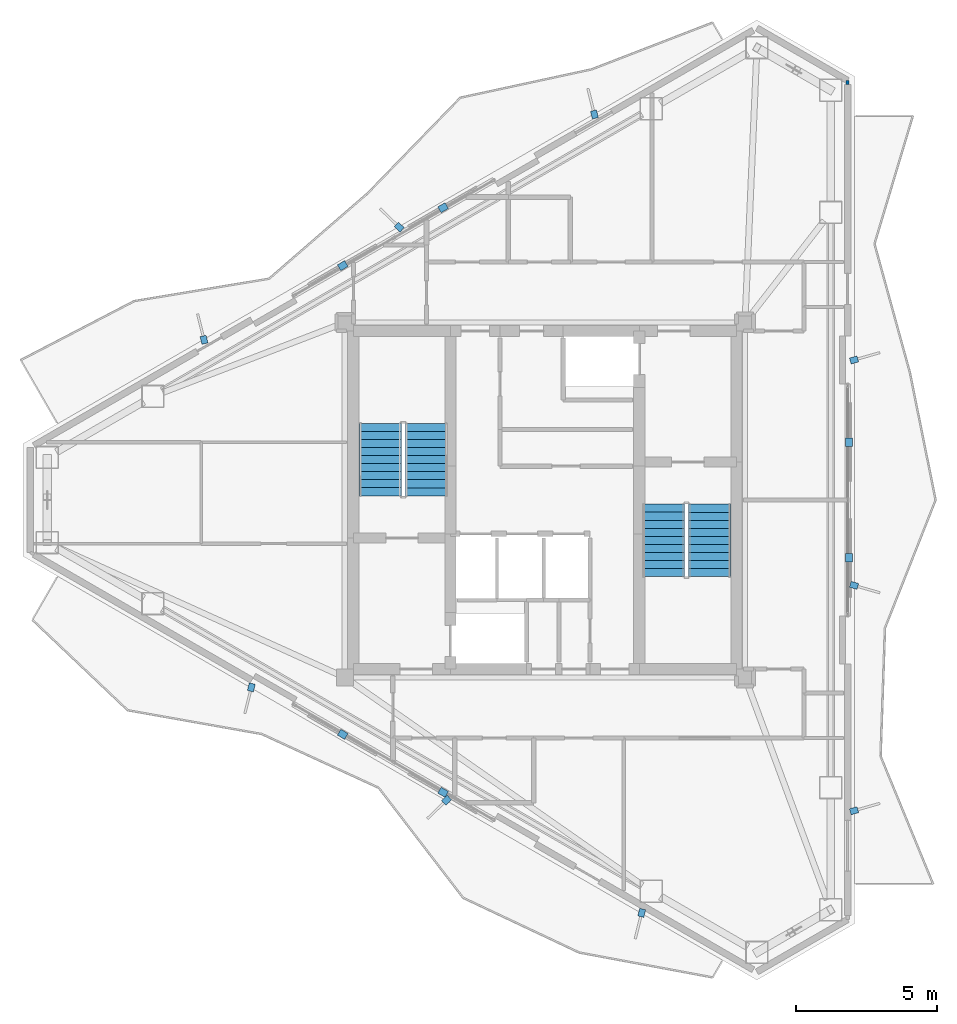
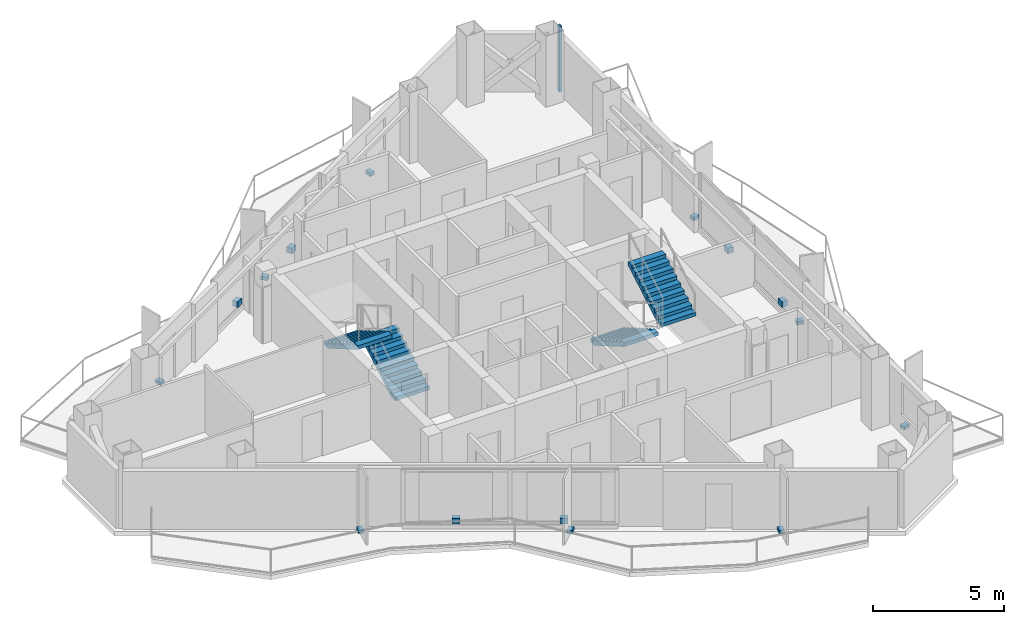
# One storey, part 17 of 18: 15 discrete accessories, 4 stair flights, 1 wall, 2 elements without a shape of their own.
"""IFC4 building model written with IfcOpenShell, lengths in metres."""

from ifc_helpers import new_model, si_unit, direction, frame, frame_2d, origin, origin_2d, place, context, subcontext, project, spatial, polyline, rectangle, outline, extrude, material, layer, layer_set, type_object, element, aggregate, save


model = new_model("IFC4")

# Units and contexts
model_context = context("Model", 3, precision=1e-05, world=origin(), true_north=direction((0.0, 1.0)))
body_context = subcontext(model_context, "Body", "Model", "MODEL_VIEW")
ifc_project = project(units=[si_unit("LENGTHUNIT", "METRE"), si_unit("AREAUNIT", "SQUARE_METRE"), si_unit("VOLUMEUNIT", "CUBIC_METRE"), si_unit("PLANEANGLEUNIT", "RADIAN"), si_unit("MASSUNIT", "GRAM", prefix="KILO")], contexts=[model_context])

# Site, building, storey
site_placement = place(None, origin())
site = spatial("IfcSite", under=ifc_project, at=site_placement, CompositionType="ELEMENT")
building_placement = place(site_placement, origin())
building = spatial("IfcBuilding", under=site, at=building_placement, Name="Mersakhor Tower and Convention Hall", CompositionType="ELEMENT")
storey_placement = place(building_placement, frame((0.0, 0.0, 233.10009765625)))
storey = spatial("IfcBuildingStorey", under=building, at=storey_placement, Name="L65", CompositionType="ELEMENT", Elevation=233.10009765625)

# Wall
ifc_material_1 = material(Name="Lightweight gypsum partition", Category="other")
ifc_layer_1 = layer(ifc_material_1, 0.10009765625)
ifc_layer_set_1 = layer_set([ifc_layer_1], Name="Lightweight gypsum partition")
wall_type = type_object("IfcWallType", Name="WL-PRT-100", PredefinedType="PARTITIONING", material=ifc_layer_set_1)
wall_placement = place(storey_placement, frame((39.742919921875, 41.64208984375, 0.0), z_axis=(0.0, 0.0, 1.0), x_axis=(0.0, -1.0, 0.0)))
element("IfcWall", 1, at=wall_placement, inside=storey, type_object=wall_type, Name="L65 Interior Partition Wall P-048", PredefinedType="PARTITIONING", context=body_context, shape_type="SweptSolid", body=[
    extrude(rectangle(XDim=0.150390625, YDim=0.10009765625, at=frame_2d((0.0751953125, 0.0))), origin(), (0.0, 0.0, 1.0), 3.079833984375),
])

# Stair, stair flights
ifc_material_2 = material(Name="Concrete C45/55", Category="concrete")
stair_type = type_object("IfcStairType", Name="ST-TWR-20R", PredefinedType="HALF_TURN_STAIR", material=ifc_material_2)
stair_1_placement = place(storey_placement, origin())
stair_1 = element("IfcStair", 2, at=stair_1_placement, inside=storey, type_object=stair_type, Name="L65 Tower Protected Exit Stair ST-1", PredefinedType="HALF_TURN_STAIR")
ifc_material_3 = material(Name="Concrete C45/55", Category="concrete")
stair_flight_type = type_object("IfcStairFlightType", Name="SFL-TWR-20R", PredefinedType="STRAIGHT", material=ifc_material_3)
stair_flight_1_placement = place(storey_placement, frame((24.800048828125, 26.89990234375, 0.0), z_axis=(0.0, 0.0, 1.0), x_axis=(0.0, 1.0, 0.0)))
stair_flight_1 = element("IfcStairFlight", 3, at=stair_flight_1_placement, type_object=stair_flight_type, Name="ST-1 flight 1", NumberOfRisers=10, NumberOfTreads=9, PredefinedType="STRAIGHT", RiserHeight=0.165, TreadLength=0.285, context=body_context, shape_type="SweptSolid", body=[
    extrude(outline(polyline([(0.0, 0.0), (0.0, 0.1650390625), (0.284912109375, 0.1650390625), (0.284912109375, 0.330078125), (0.570068359375, 0.330078125), (0.570068359375, 0.4951171875), (0.85498046875, 0.4951171875), (0.85498046875, 0.659912109375), (1.139892578125, 0.659912109375), (1.139892578125, 0.824951171875), (1.425048828125, 0.824951171875), (1.425048828125, 0.989990234375), (1.7099609375, 0.989990234375), (1.7099609375, 1.155029296875), (1.9951171875, 1.155029296875), (1.9951171875, 1.320068359375), (2.280029296875, 1.320068359375), (2.280029296875, 1.485107421875), (2.56494140625, 1.485107421875), (2.56494140625, 1.64990234375), (2.56494140625, 1.311767578125), (0.299072265625, 0.0), (0.0, 0.0)])), frame((0.0, 0.75, 0.0), z_axis=(0.0, -1.0, 0.0), x_axis=(1.0, 0.0, 0.0)), (0.0, 0.0, 1.0), 1.5),
])
stair_flight_2_placement = place(storey_placement, frame((23.14990234375, 29.465087890625, 1.64990234375), z_axis=(0.0, 0.0, 1.0), x_axis=(0.0, -1.0, 0.0)))
stair_flight_2 = element("IfcStairFlight", 4, at=stair_flight_2_placement, type_object=stair_flight_type, Name="ST-1 flight 2", NumberOfRisers=10, NumberOfTreads=9, PredefinedType="STRAIGHT", RiserHeight=0.165, TreadLength=0.285, context=body_context, shape_type="SweptSolid", body=[
    extrude(outline(polyline([(0.0, 0.0), (0.0, 0.1650390625), (0.284912109375, 0.1650390625), (0.284912109375, 0.330078125), (0.570068359375, 0.330078125), (0.570068359375, 0.4951171875), (0.85498046875, 0.4951171875), (0.85498046875, 0.659912109375), (1.139892578125, 0.659912109375), (1.139892578125, 0.824951171875), (1.425048828125, 0.824951171875), (1.425048828125, 0.989990234375), (1.7099609375, 0.989990234375), (1.7099609375, 1.155029296875), (1.9951171875, 1.155029296875), (1.9951171875, 1.320068359375), (2.280029296875, 1.320068359375), (2.280029296875, 1.485107421875), (2.56494140625, 1.485107421875), (2.56494140625, 1.64990234375), (2.56494140625, 1.311767578125), (0.299072265625, 0.0), (0.0, 0.0)])), frame((0.0, 0.75, 0.0), z_axis=(0.0, -1.0, 0.0), x_axis=(1.0, 0.0, 0.0)), (0.0, 0.0, 1.0), 1.5),
])
aggregate(stair_1, [stair_flight_1, stair_flight_2])

stair_2_placement = place(storey_placement, origin())
stair_2 = element("IfcStair", 5, at=stair_2_placement, inside=storey, type_object=stair_type, Name="L65 Tower Protected Exit Stair ST-2", PredefinedType="HALF_TURN_STAIR")
stair_flight_3_placement = place(storey_placement, frame((33.199951171875, 26.60009765625, 0.0), z_axis=(0.0, 0.0, 1.0), x_axis=(0.0, -1.0, 0.0)))
stair_flight_3 = element("IfcStairFlight", 6, at=stair_flight_3_placement, type_object=stair_flight_type, Name="ST-2 flight 1", NumberOfRisers=10, NumberOfTreads=9, PredefinedType="STRAIGHT", RiserHeight=0.165, TreadLength=0.285, context=body_context, shape_type="SweptSolid", body=[
    extrude(outline(polyline([(0.0, 0.0), (0.0, 0.1650390625), (0.284912109375, 0.1650390625), (0.284912109375, 0.330078125), (0.570068359375, 0.330078125), (0.570068359375, 0.4951171875), (0.85498046875, 0.4951171875), (0.85498046875, 0.659912109375), (1.139892578125, 0.659912109375), (1.139892578125, 0.824951171875), (1.425048828125, 0.824951171875), (1.425048828125, 0.989990234375), (1.7099609375, 0.989990234375), (1.7099609375, 1.155029296875), (1.9951171875, 1.155029296875), (1.9951171875, 1.320068359375), (2.280029296875, 1.320068359375), (2.280029296875, 1.485107421875), (2.56494140625, 1.485107421875), (2.56494140625, 1.64990234375), (2.56494140625, 1.311767578125), (0.299072265625, 0.0), (0.0, 0.0)])), frame((0.0, 0.75, 0.0), z_axis=(0.0, -1.0, 0.0), x_axis=(1.0, 0.0, 0.0)), (0.0, 0.0, 1.0), 1.5),
])
stair_flight_4_placement = place(storey_placement, frame((34.85009765625, 24.034912109375, 1.64990234375), z_axis=(0.0, 0.0, 1.0), x_axis=(0.0, 1.0, 0.0)))
stair_flight_4 = element("IfcStairFlight", 7, at=stair_flight_4_placement, type_object=stair_flight_type, Name="ST-2 flight 2", NumberOfRisers=10, NumberOfTreads=9, PredefinedType="STRAIGHT", RiserHeight=0.165, TreadLength=0.285, context=body_context, shape_type="SweptSolid", body=[
    extrude(outline(polyline([(0.0, 0.0), (0.0, 0.1650390625), (0.284912109375, 0.1650390625), (0.284912109375, 0.330078125), (0.570068359375, 0.330078125), (0.570068359375, 0.4951171875), (0.85498046875, 0.4951171875), (0.85498046875, 0.659912109375), (1.139892578125, 0.659912109375), (1.139892578125, 0.824951171875), (1.425048828125, 0.824951171875), (1.425048828125, 0.989990234375), (1.7099609375, 0.989990234375), (1.7099609375, 1.155029296875), (1.9951171875, 1.155029296875), (1.9951171875, 1.320068359375), (2.280029296875, 1.320068359375), (2.280029296875, 1.485107421875), (2.56494140625, 1.485107421875), (2.56494140625, 1.64990234375), (2.56494140625, 1.311767578125), (0.299072265625, 0.0), (0.0, 0.0)])), frame((0.0, 0.75, 0.0), z_axis=(0.0, -1.0, 0.0), x_axis=(1.0, 0.0, 0.0)), (0.0, 0.0, 1.0), 1.5),
])
aggregate(stair_2, [stair_flight_3, stair_flight_4])

# Discrete accessories
ifc_material_4 = material(Name="Galvanised steel bracket", Category="steel")
ifc_layer_2 = layer(ifc_material_4, 0.02001953125)
ifc_layer_set_2 = layer_set([ifc_layer_2], Name="Galvanised steel bracket")
discrete_accessory_type = type_object("IfcDiscreteAccessoryType", Name="ACC-BRK-STL", PredefinedType="BRACKET", material=ifc_layer_set_2)
for number, where, z_axis, x_axis, name in (
    (8, (21.822265625, 35.068359375, 0.2900390625), (0.0, 0.0, 1.0), (0.866025403784, 0.5, 0.0), "L65 Solar Screen Outrigger Bracket BRK-1-1"),
    (9, (25.385009765625, 37.125244140625, 0.2900390625), (0.0, 0.0, 1.0), (0.866025403784, 0.5, 0.0), "L65 Solar Screen Outrigger Bracket BRK-1-2"),
):
    element("IfcDiscreteAccessory", number, at=place(storey_placement, frame(where, z_axis=z_axis, x_axis=x_axis)), inside=storey, type_object=discrete_accessory_type, Name=name, PredefinedType="BRACKET", context=body_context, shape_type="SweptSolid", body=[
        extrude(rectangle(XDim=0.300048828125, YDim=0.239990234375, at=origin_2d()), origin(), (0.0, 0.0, 1.0), 0.260009765625),
    ])
for number, where, z_axis, x_axis, name in (
    (10, (16.900634765625, 32.434814453125, -0.02001953125), (0.0, 0.0, 1.0), (-0.2419218956, 0.970295726276, 0.0), "L65 Facade Fin Base Cleat Bracket FBRK-1-1"),
    (11, (23.828857421875, 36.434814453125, -0.02001953125), (0.0, 0.0, 1.0), (-0.719339800339, 0.694658370459, 0.0), "L65 Facade Fin Base Cleat Bracket FBRK-1-2"),
    (12, (30.757080078125, 40.434814453125, -0.02001953125), (0.0, 0.0, 1.0), (-0.2419218956, 0.970295726276, 0.0), "L65 Facade Fin Base Cleat Bracket FBRK-1-3"),
):
    element("IfcDiscreteAccessory", number, at=place(storey_placement, frame(where, z_axis=z_axis, x_axis=x_axis)), inside=storey, type_object=discrete_accessory_type, Name=name, PredefinedType="BRACKET", context=body_context, shape_type="SweptSolid", body=[
        extrude(rectangle(XDim=0.280029296875, YDim=0.219970703125, at=origin_2d()), origin(), (0.0, 0.0, 1.0), 0.159912109375),
    ])
for number, where, z_axis, x_axis, name in (
    (13, (39.792724609375, 28.806884765625, 0.2900390625), (0.0, 0.0, 1.0), (0.0, -1.0, 0.0), "L65 Solar Screen Outrigger Bracket BRK-2-1"),
    (14, (39.792724609375, 24.693115234375, 0.2900390625), (0.0, 0.0, 1.0), (0.0, -1.0, 0.0), "L65 Solar Screen Outrigger Bracket BRK-2-2"),
):
    element("IfcDiscreteAccessory", number, at=place(storey_placement, frame(where, z_axis=z_axis, x_axis=x_axis)), inside=storey, type_object=discrete_accessory_type, Name=name, PredefinedType="BRACKET", context=body_context, shape_type="SweptSolid", body=[
        extrude(rectangle(XDim=0.300048828125, YDim=0.239990234375, at=origin_2d()), origin(), (0.0, 0.0, 1.0), 0.260009765625),
    ])
for number, where, z_axis, x_axis, name in (
    (15, (39.972900390625, 31.719482421875, -0.02001953125), (0.0, 0.0, 1.0), (0.961261695938, 0.275637355817, 0.0), "L65 Facade Fin Base Cleat Bracket FBRK-2-1"),
    (16, (39.972900390625, 23.719482421875, -0.02001953125), (0.0, 0.0, 1.0), (0.961261695938, -0.275637355817, 0.0), "L65 Facade Fin Base Cleat Bracket FBRK-2-2"),
    (17, (39.972900390625, 15.719482421875, -0.02001953125), (0.0, 0.0, 1.0), (0.961261695938, 0.275637355817, 0.0), "L65 Facade Fin Base Cleat Bracket FBRK-2-3"),
):
    element("IfcDiscreteAccessory", number, at=place(storey_placement, frame(where, z_axis=z_axis, x_axis=x_axis)), inside=storey, type_object=discrete_accessory_type, Name=name, PredefinedType="BRACKET", context=body_context, shape_type="SweptSolid", body=[
        extrude(rectangle(XDim=0.280029296875, YDim=0.219970703125, at=origin_2d()), origin(), (0.0, 0.0, 1.0), 0.159912109375),
    ])
for number, where, z_axis, x_axis, name in (
    (18, (25.385009765625, 16.374755859375, 0.2900390625), (0.0, 0.0, 1.0), (-0.866025403784, 0.5, 0.0), "L65 Solar Screen Outrigger Bracket BRK-3-1"),
    (19, (21.822265625, 18.431640625, 0.2900390625), (0.0, 0.0, 1.0), (-0.866025403784, 0.5, 0.0), "L65 Solar Screen Outrigger Bracket BRK-3-2"),
):
    element("IfcDiscreteAccessory", number, at=place(storey_placement, frame(where, z_axis=z_axis, x_axis=x_axis)), inside=storey, type_object=discrete_accessory_type, Name=name, PredefinedType="BRACKET", context=body_context, shape_type="SweptSolid", body=[
        extrude(rectangle(XDim=0.300048828125, YDim=0.239990234375, at=origin_2d()), origin(), (0.0, 0.0, 1.0), 0.260009765625),
    ])
for number, where, z_axis, x_axis, name in (
    (20, (32.43603515625, 12.095947265625, -0.02001953125), (0.0, 0.0, 1.0), (-0.2419218956, -0.970295726276, 0.0), "L65 Facade Fin Base Cleat Bracket FBRK-3-1"),
    (21, (25.5078125, 16.095947265625, -0.02001953125), (0.0, 0.0, 1.0), (-0.719339800339, -0.694658370459, 0.0), "L65 Facade Fin Base Cleat Bracket FBRK-3-2"),
    (22, (18.57958984375, 20.095947265625, -0.02001953125), (0.0, 0.0, 1.0), (-0.2419218956, -0.970295726276, 0.0), "L65 Facade Fin Base Cleat Bracket FBRK-3-3"),
):
    element("IfcDiscreteAccessory", number, at=place(storey_placement, frame(where, z_axis=z_axis, x_axis=x_axis)), inside=storey, type_object=discrete_accessory_type, Name=name, PredefinedType="BRACKET", context=body_context, shape_type="SweptSolid", body=[
        extrude(rectangle(XDim=0.280029296875, YDim=0.219970703125, at=origin_2d()), origin(), (0.0, 0.0, 1.0), 0.159912109375),
    ])

save(model, "model.ifc")
